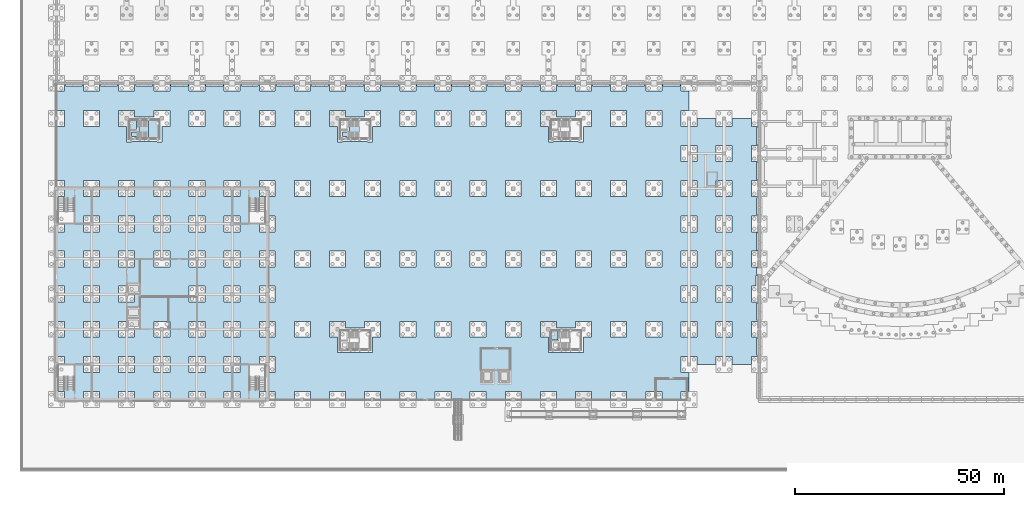
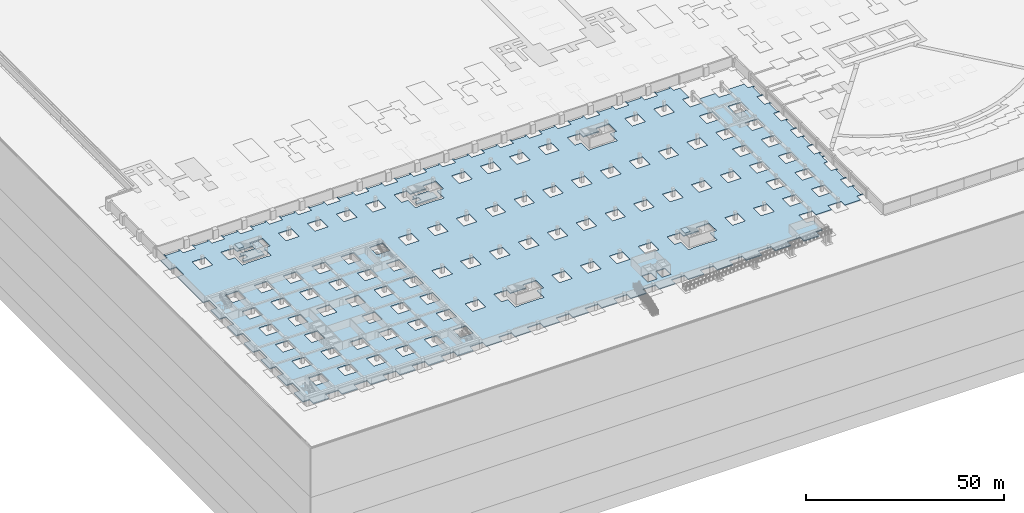
# One storey, part 30 of 67: 6 slabs, 2 elements without a shape of their own.
"""IFC4 building model written with IfcOpenShell, lengths in metres."""

from ifc_helpers import new_model, si_unit, direction, frame, origin, place, context, subcontext, project, spatial, polyline, outline, extrude, material, layer, layer_set, type_object, element, aggregate, save


model = new_model("IFC4")

# Units and contexts
model_context = context("Model", 3, precision=1e-05, world=origin(), true_north=direction((0.0, 1.0)))
body_context = subcontext(model_context, "Body", "Model", "MODEL_VIEW")
ifc_project = project(units=[si_unit("LENGTHUNIT", "METRE"), si_unit("AREAUNIT", "SQUARE_METRE"), si_unit("VOLUMEUNIT", "CUBIC_METRE"), si_unit("PLANEANGLEUNIT", "RADIAN"), si_unit("MASSUNIT", "GRAM", prefix="KILO")], contexts=[model_context])

# Site, building, storey
site_placement = place(None, origin())
site = spatial("IfcSite", under=ifc_project, at=site_placement, CompositionType="ELEMENT")
building_placement = place(site_placement, origin())
building = spatial("IfcBuilding", under=site, at=building_placement, Name="Rain Tree Exposition and Congress Centre", CompositionType="ELEMENT")
storey_placement = place(building_placement, frame((0.0, 0.0, -3.0)))
storey = spatial("IfcBuildingStorey", under=building, at=storey_placement, Name="B1", CompositionType="ELEMENT", Elevation=-3.0)

# Slabs
ifc_material_1 = material(Name="Concrete C40/50", Category="concrete")
ifc_layer_1 = layer(ifc_material_1, 0.300048828125)
ifc_layer_set_1 = layer_set([ifc_layer_1], Name="Concrete C40/50")
slab_type_1 = type_object("IfcSlabType", Name="Base slab 300", PredefinedType="BASESLAB", material=ifc_layer_set_1)
slab_1_placement = place(storey_placement, frame((0.0, 0.0, -0.300048828125)))
element("IfcSlab", 1, at=slab_1_placement, inside=storey, type_object=slab_type_1, Name="Undercroft base slab 1", PredefinedType="BASESLAB", context=body_context, shape_type="SweptSolid", body=[
    extrude(outline(polyline([(0.0, 48.5), (0.0, 43.89990234375), (1.89990234375, 43.89990234375), (1.89990234375, 40.10009765625), (0.0, 40.10009765625), (0.0, 35.5), (1.89990234375, 35.5), (1.89990234375, 31.699951171875), (0.0, 31.699951171875), (0.0, 27.10009765625), (1.89990234375, 27.10009765625), (1.89990234375, 23.300048828125), (0.0, 23.300048828125), (0.0, 18.699951171875), (1.89990234375, 18.699951171875), (1.89990234375, 14.89990234375), (0.0, 14.89990234375), (0.0, 10.300048828125), (1.89990234375, 10.300048828125), (1.89990234375, 6.5), (0.0, 6.5), (0.0, 1.89990234375), (1.89990234375, 1.89990234375), (1.89990234375, 0.0), (6.5, 0.0), (6.5, 1.89990234375), (10.300048828125, 1.89990234375), (10.300048828125, 0.0), (14.89990234375, 0.0), (14.89990234375, 1.89990234375), (18.699951171875, 1.89990234375), (18.699951171875, 0.0), (23.300048828125, 0.0), (23.300048828125, 1.89990234375), (27.10009765625, 1.89990234375), (27.10009765625, 0.0), (31.699951171875, 0.0), (31.699951171875, 1.89990234375), (35.5, 1.89990234375), (35.5, 0.0), (40.10009765625, 0.0), (40.10009765625, 1.89990234375), (43.89990234375, 1.89990234375), (43.89990234375, 0.0), (48.5, 0.0), (48.5, 1.89990234375), (52.300048828125, 1.89990234375), (52.300048828125, 0.0), (56.89990234375, 0.0), (56.89990234375, 1.89990234375), (60.699951171875, 1.89990234375), (60.699951171875, 0.0), (65.300048828125, 0.0), (65.300048828125, 1.89990234375), (69.10009765625, 1.89990234375), (69.10009765625, 0.0), (73.699951171875, 0.0), (73.699951171875, 1.89990234375), (77.5, 1.89990234375), (77.5, 0.0), (82.10009765625, 0.0), (82.10009765625, 1.89990234375), (85.89990234375, 1.89990234375), (85.89990234375, 0.0), (90.5, 0.0), (90.5, 1.89990234375), (94.300048828125, 1.89990234375), (94.300048828125, 0.0), (98.89990234375, 0.0), (98.89990234375, 1.89990234375), (102.699951171875, 1.89990234375), (102.699951171875, 0.0), (107.300048828125, 0.0), (107.300048828125, 1.89990234375), (111.10009765625, 1.89990234375), (111.10009765625, 0.0), (115.699951171875, 0.0), (115.699951171875, 1.89990234375), (119.5, 1.89990234375), (119.5, 0.0), (124.10009765625, 0.0), (124.10009765625, 1.89990234375), (127.89990234375, 1.89990234375), (127.89990234375, 0.0), (132.5, 0.0), (132.5, 1.89990234375), (136.300048828125, 1.89990234375), (136.300048828125, 0.0), (140.89990234375, 0.0), (140.89990234375, 1.89990234375), (144.699951171875, 1.89990234375), (144.699951171875, 0.0), (149.300048828125, 0.0), (149.300048828125, 1.89990234375), (151.199951171875, 1.89990234375), (151.199951171875, 6.5), (149.300048828125, 6.5), (149.300048828125, 10.300048828125), (153.10009765625, 10.300048828125), (153.10009765625, 8.39990234375), (157.699951171875, 8.39990234375), (157.699951171875, 10.300048828125), (161.5, 10.300048828125), (161.5, 8.39990234375), (166.10009765625, 8.39990234375), (166.10009765625, 10.300048828125), (168.0, 10.300048828125), (168.0, 10.60009765625), (167.300048828125, 10.60009765625), (167.300048828125, 14.60009765625), (168.0, 14.60009765625), (168.0, 14.89990234375), (166.10009765625, 14.89990234375), (166.10009765625, 18.699951171875), (168.0, 18.699951171875), (168.0, 19.0), (167.300048828125, 19.0), (167.300048828125, 23.0), (168.0, 23.0), (168.0, 23.300048828125), (166.10009765625, 23.300048828125), (166.10009765625, 27.10009765625), (167.189208984375, 27.10009765625), (167.189208984375, 29.617919921875), (168.0, 29.617919921875), (168.0, 29.917724609375), (167.300048828125, 29.917724609375), (167.300048828125, 31.39990234375), (168.0, 31.39990234375), (168.0, 31.699951171875), (166.10009765625, 31.699951171875), (166.10009765625, 35.5), (168.0, 35.5), (168.0, 35.800048828125), (167.300048828125, 35.800048828125), (167.300048828125, 39.800048828125), (168.0, 39.800048828125), (168.0, 40.10009765625), (166.10009765625, 40.10009765625), (166.10009765625, 43.89990234375), (168.0, 43.89990234375), (168.0, 44.199951171875), (167.300048828125, 44.199951171875), (167.300048828125, 48.199951171875), (168.0, 48.199951171875), (168.0, 48.5), (166.10009765625, 48.5), (166.10009765625, 52.300048828125), (168.0, 52.300048828125), (168.0, 52.60009765625), (167.300048828125, 52.60009765625), (167.300048828125, 56.60009765625), (168.0, 56.60009765625), (168.0, 56.89990234375), (166.10009765625, 56.89990234375), (166.10009765625, 60.699951171875), (168.0, 60.699951171875), (168.0, 61.0), (167.300048828125, 61.0), (167.300048828125, 65.0), (168.0, 65.0), (168.0, 65.300048828125), (166.10009765625, 65.300048828125), (166.10009765625, 67.199951171875), (161.5, 67.199951171875), (161.5, 65.300048828125), (157.699951171875, 65.300048828125), (157.699951171875, 67.199951171875), (153.10009765625, 67.199951171875), (153.10009765625, 65.300048828125), (149.300048828125, 65.300048828125), (149.300048828125, 69.10009765625), (151.199951171875, 69.10009765625), (151.199951171875, 73.699951171875), (149.300048828125, 73.699951171875), (149.300048828125, 75.60009765625), (149.0, 75.60009765625), (149.0, 74.89990234375), (145.0, 74.89990234375), (145.0, 75.60009765625), (144.699951171875, 75.60009765625), (144.699951171875, 73.699951171875), (140.89990234375, 73.699951171875), (140.89990234375, 75.60009765625), (140.60009765625, 75.60009765625), (140.60009765625, 74.89990234375), (136.60009765625, 74.89990234375), (136.60009765625, 75.60009765625), (136.300048828125, 75.60009765625), (136.300048828125, 73.699951171875), (132.5, 73.699951171875), (132.5, 75.60009765625), (132.199951171875, 75.60009765625), (132.199951171875, 74.89990234375), (128.199951171875, 74.89990234375), (128.199951171875, 75.60009765625), (127.89990234375, 75.60009765625), (127.89990234375, 73.699951171875), (124.10009765625, 73.699951171875), (124.10009765625, 75.60009765625), (123.800048828125, 75.60009765625), (123.800048828125, 74.89990234375), (119.800048828125, 74.89990234375), (119.800048828125, 75.60009765625), (119.5, 75.60009765625), (119.5, 73.699951171875), (115.699951171875, 73.699951171875), (115.699951171875, 75.60009765625), (115.39990234375, 75.60009765625), (115.39990234375, 74.89990234375), (111.39990234375, 74.89990234375), (111.39990234375, 75.60009765625), (111.10009765625, 75.60009765625), (111.10009765625, 73.699951171875), (107.300048828125, 73.699951171875), (107.300048828125, 75.60009765625), (107.0, 75.60009765625), (107.0, 74.89990234375), (103.0, 74.89990234375), (103.0, 75.60009765625), (102.699951171875, 75.60009765625), (102.699951171875, 73.699951171875), (98.89990234375, 73.699951171875), (98.89990234375, 75.60009765625), (98.60009765625, 75.60009765625), (98.60009765625, 74.89990234375), (94.60009765625, 74.89990234375), (94.60009765625, 75.60009765625), (94.300048828125, 75.60009765625), (94.300048828125, 73.699951171875), (90.5, 73.699951171875), (90.5, 75.60009765625), (90.199951171875, 75.60009765625), (90.199951171875, 74.89990234375), (86.199951171875, 74.89990234375), (86.199951171875, 75.60009765625), (85.89990234375, 75.60009765625), (85.89990234375, 73.699951171875), (82.10009765625, 73.699951171875), (82.10009765625, 75.60009765625), (81.800048828125, 75.60009765625), (81.800048828125, 74.89990234375), (77.800048828125, 74.89990234375), (77.800048828125, 75.60009765625), (77.5, 75.60009765625), (77.5, 73.699951171875), (73.699951171875, 73.699951171875), (73.699951171875, 75.60009765625), (73.39990234375, 75.60009765625), (73.39990234375, 74.89990234375), (69.39990234375, 74.89990234375), (69.39990234375, 75.60009765625), (69.10009765625, 75.60009765625), (69.10009765625, 73.699951171875), (65.300048828125, 73.699951171875), (65.300048828125, 75.60009765625), (65.0, 75.60009765625), (65.0, 74.89990234375), (61.0, 74.89990234375), (61.0, 75.60009765625), (60.699951171875, 75.60009765625), (60.699951171875, 73.699951171875), (56.89990234375, 73.699951171875), (56.89990234375, 75.60009765625), (56.60009765625, 75.60009765625), (56.60009765625, 74.89990234375), (52.60009765625, 74.89990234375), (52.60009765625, 75.60009765625), (52.300048828125, 75.60009765625), (52.300048828125, 73.699951171875), (48.5, 73.699951171875), (48.5, 75.60009765625), (48.199951171875, 75.60009765625), (48.199951171875, 74.89990234375), (44.199951171875, 74.89990234375), (44.199951171875, 75.60009765625), (43.89990234375, 75.60009765625), (43.89990234375, 73.699951171875), (40.10009765625, 73.699951171875), (40.10009765625, 75.60009765625), (39.800048828125, 75.60009765625), (39.800048828125, 74.89990234375), (35.800048828125, 74.89990234375), (35.800048828125, 75.60009765625), (35.5, 75.60009765625), (35.5, 73.699951171875), (31.699951171875, 73.699951171875), (31.699951171875, 75.60009765625), (31.39990234375, 75.60009765625), (31.39990234375, 74.89990234375), (27.39990234375, 74.89990234375), (27.39990234375, 75.60009765625), (27.10009765625, 75.60009765625), (27.10009765625, 73.699951171875), (23.300048828125, 73.699951171875), (23.300048828125, 75.60009765625), (23.0, 75.60009765625), (23.0, 74.89990234375), (19.0, 74.89990234375), (19.0, 75.60009765625), (18.699951171875, 75.60009765625), (18.699951171875, 73.699951171875), (14.89990234375, 73.699951171875), (14.89990234375, 75.60009765625), (14.60009765625, 75.60009765625), (14.60009765625, 74.89990234375), (10.60009765625, 74.89990234375), (10.60009765625, 75.60009765625), (10.300048828125, 75.60009765625), (10.300048828125, 73.699951171875), (6.5, 73.699951171875), (6.5, 75.60009765625), (6.199951171875, 75.60009765625), (6.199951171875, 74.89990234375), (2.199951171875, 74.89990234375), (2.199951171875, 75.60009765625), (1.89990234375, 75.60009765625), (1.89990234375, 73.699951171875), (0.0, 73.699951171875), (0.0, 69.10009765625), (1.89990234375, 69.10009765625), (1.89990234375, 65.300048828125), (0.0, 65.300048828125), (0.0, 52.300048828125), (1.89990234375, 52.300048828125), (1.89990234375, 48.5), (0.0, 48.5)]), holes=[polyline([(27.10009765625, 10.300048828125), (23.300048828125, 10.300048828125), (23.300048828125, 6.5), (27.10009765625, 6.5), (27.10009765625, 10.300048828125)]), polyline([(18.699951171875, 10.300048828125), (14.89990234375, 10.300048828125), (14.89990234375, 6.5), (18.699951171875, 6.5), (18.699951171875, 10.300048828125)]), polyline([(10.300048828125, 10.300048828125), (6.5, 10.300048828125), (6.5, 6.5), (10.300048828125, 6.5), (10.300048828125, 10.300048828125)]), polyline([(23.300048828125, 18.699951171875), (23.300048828125, 14.89990234375), (27.10009765625, 14.89990234375), (27.10009765625, 18.699951171875), (23.300048828125, 18.699951171875)]), polyline([(18.699951171875, 18.699951171875), (14.89990234375, 18.699951171875), (14.89990234375, 14.89990234375), (18.699951171875, 14.89990234375), (18.699951171875, 18.699951171875)]), polyline([(10.300048828125, 18.699951171875), (6.5, 18.699951171875), (6.5, 14.89990234375), (10.300048828125, 14.89990234375), (10.300048828125, 18.699951171875)]), polyline([(6.5, 27.10009765625), (6.5, 23.300048828125), (10.300048828125, 23.300048828125), (10.300048828125, 27.10009765625), (6.5, 27.10009765625)]), polyline([(18.699951171875, 27.10009765625), (14.89990234375, 27.10009765625), (14.89990234375, 23.300048828125), (18.699951171875, 23.300048828125), (18.699951171875, 27.10009765625)]), polyline([(18.699951171875, 35.5), (14.89990234375, 35.5), (14.89990234375, 31.699951171875), (18.699951171875, 31.699951171875), (18.699951171875, 35.5)]), polyline([(6.5, 35.5), (6.5, 31.699951171875), (10.300048828125, 31.699951171875), (10.300048828125, 35.5), (6.5, 35.5)]), polyline([(10.300048828125, 43.89990234375), (6.5, 43.89990234375), (6.5, 40.10009765625), (10.300048828125, 40.10009765625), (10.300048828125, 43.89990234375)]), polyline([(23.300048828125, 43.89990234375), (23.300048828125, 40.10009765625), (27.10009765625, 40.10009765625), (27.10009765625, 43.89990234375), (23.300048828125, 43.89990234375)]), polyline([(18.699951171875, 43.89990234375), (14.89990234375, 43.89990234375), (14.89990234375, 40.10009765625), (18.699951171875, 40.10009765625), (18.699951171875, 43.89990234375)]), polyline([(23.300048828125, 52.300048828125), (23.300048828125, 48.5), (27.10009765625, 48.5), (27.10009765625, 52.300048828125), (23.300048828125, 52.300048828125)]), polyline([(14.89990234375, 52.300048828125), (14.89990234375, 48.5), (18.699951171875, 48.5), (18.699951171875, 52.300048828125), (14.89990234375, 52.300048828125)]), polyline([(10.300048828125, 52.300048828125), (6.5, 52.300048828125), (6.5, 48.5), (10.300048828125, 48.5), (10.300048828125, 52.300048828125)]), polyline([(21.0, 67.5), (18.699951171875, 67.5), (18.699951171875, 69.10009765625), (14.89990234375, 69.10009765625), (14.89990234375, 65.300048828125), (16.800048828125, 65.300048828125), (16.800048828125, 61.60009765625), (18.0, 61.60009765625), (18.0, 61.699951171875), (21.0, 61.699951171875), (24.0, 61.699951171875), (24.0, 61.60009765625), (25.199951171875, 61.60009765625), (25.199951171875, 62.199951171875), (25.199951171875, 65.300048828125), (27.10009765625, 65.300048828125), (27.10009765625, 69.10009765625), (23.300048828125, 69.10009765625), (23.300048828125, 67.5), (21.0, 67.5)]), polyline([(10.300048828125, 69.10009765625), (6.5, 69.10009765625), (6.5, 65.300048828125), (10.300048828125, 65.300048828125), (10.300048828125, 69.10009765625)]), polyline([(52.300048828125, 10.300048828125), (48.5, 10.300048828125), (48.5, 6.5), (52.300048828125, 6.5), (52.300048828125, 10.300048828125)]), polyline([(40.10009765625, 10.300048828125), (40.10009765625, 6.5), (43.89990234375, 6.5), (43.89990234375, 10.300048828125), (40.10009765625, 10.300048828125)]), polyline([(35.5, 10.300048828125), (31.699951171875, 10.300048828125), (31.699951171875, 6.5), (35.5, 6.5), (35.5, 10.300048828125)]), polyline([(60.699951171875, 18.699951171875), (56.89990234375, 18.699951171875), (56.89990234375, 14.89990234375), (60.699951171875, 14.89990234375), (60.699951171875, 18.699951171875)]), polyline([(40.10009765625, 18.699951171875), (40.10009765625, 14.89990234375), (43.89990234375, 14.89990234375), (43.89990234375, 18.699951171875), (40.10009765625, 18.699951171875)]), polyline([(31.699951171875, 18.699951171875), (31.699951171875, 14.89990234375), (35.5, 14.89990234375), (35.5, 18.699951171875), (31.699951171875, 18.699951171875)]), polyline([(48.5, 18.699951171875), (48.5, 14.89990234375), (52.300048828125, 14.89990234375), (52.300048828125, 18.699951171875), (48.5, 18.699951171875)]), polyline([(35.5, 27.10009765625), (31.699951171875, 27.10009765625), (31.699951171875, 23.300048828125), (35.5, 23.300048828125), (35.5, 27.10009765625)]), polyline([(43.89990234375, 27.10009765625), (40.10009765625, 27.10009765625), (40.10009765625, 23.300048828125), (43.89990234375, 23.300048828125), (43.89990234375, 27.10009765625)]), polyline([(48.5, 27.10009765625), (48.5, 23.300048828125), (52.300048828125, 23.300048828125), (52.300048828125, 27.10009765625), (48.5, 27.10009765625)]), polyline([(35.5, 35.5), (31.699951171875, 35.5), (31.699951171875, 31.699951171875), (35.5, 31.699951171875), (35.5, 35.5)]), polyline([(43.89990234375, 35.5), (40.10009765625, 35.5), (40.10009765625, 31.699951171875), (43.89990234375, 31.699951171875), (43.89990234375, 35.5)]), polyline([(23.300048828125, 35.5), (23.300048828125, 31.699951171875), (27.10009765625, 31.699951171875), (27.10009765625, 35.5), (23.300048828125, 35.5)]), polyline([(52.300048828125, 35.5), (48.5, 35.5), (48.5, 31.699951171875), (52.300048828125, 31.699951171875), (52.300048828125, 35.5)]), polyline([(43.89990234375, 43.89990234375), (40.10009765625, 43.89990234375), (40.10009765625, 40.10009765625), (43.89990234375, 40.10009765625), (43.89990234375, 43.89990234375)]), polyline([(48.5, 43.89990234375), (48.5, 40.10009765625), (52.300048828125, 40.10009765625), (52.300048828125, 43.89990234375), (48.5, 43.89990234375)]), polyline([(31.699951171875, 43.89990234375), (31.699951171875, 40.10009765625), (35.5, 40.10009765625), (35.5, 43.89990234375), (31.699951171875, 43.89990234375)]), polyline([(56.89990234375, 52.300048828125), (56.89990234375, 48.5), (60.699951171875, 48.5), (60.699951171875, 52.300048828125), (56.89990234375, 52.300048828125)]), polyline([(52.300048828125, 52.300048828125), (48.5, 52.300048828125), (48.5, 48.5), (52.300048828125, 48.5), (52.300048828125, 52.300048828125)]), polyline([(43.89990234375, 52.300048828125), (40.10009765625, 52.300048828125), (40.10009765625, 48.5), (43.89990234375, 48.5), (43.89990234375, 52.300048828125)]), polyline([(31.699951171875, 52.300048828125), (31.699951171875, 48.5), (35.5, 48.5), (35.5, 52.300048828125), (31.699951171875, 52.300048828125)]), polyline([(52.300048828125, 69.10009765625), (48.5, 69.10009765625), (48.5, 65.300048828125), (52.300048828125, 65.300048828125), (52.300048828125, 69.10009765625)]), polyline([(43.89990234375, 69.10009765625), (40.10009765625, 69.10009765625), (40.10009765625, 65.300048828125), (43.89990234375, 65.300048828125), (43.89990234375, 69.10009765625)]), polyline([(31.699951171875, 69.10009765625), (31.699951171875, 65.300048828125), (35.5, 65.300048828125), (35.5, 69.10009765625), (31.699951171875, 69.10009765625)]), polyline([(60.699951171875, 69.10009765625), (56.89990234375, 69.10009765625), (56.89990234375, 65.300048828125), (60.699951171875, 65.300048828125), (60.699951171875, 69.10009765625)]), polyline([(104.300048828125, 7.10009765625), (101.60009765625, 7.10009765625), (101.60009765625, 4.0), (104.300048828125, 4.0), (104.300048828125, 7.10009765625)]), polyline([(71.39990234375, 17.10009765625), (69.10009765625, 17.10009765625), (69.10009765625, 18.699951171875), (65.300048828125, 18.699951171875), (65.300048828125, 14.89990234375), (67.199951171875, 14.89990234375), (67.199951171875, 11.199951171875), (68.39990234375, 11.199951171875), (68.39990234375, 11.300048828125), (71.39990234375, 11.300048828125), (74.39990234375, 11.300048828125), (74.39990234375, 11.199951171875), (75.60009765625, 11.199951171875), (75.60009765625, 11.800048828125), (75.60009765625, 14.89990234375), (77.5, 14.89990234375), (77.5, 18.699951171875), (73.699951171875, 18.699951171875), (73.699951171875, 17.10009765625), (71.39990234375, 17.10009765625)]), polyline([(102.699951171875, 18.699951171875), (98.89990234375, 18.699951171875), (98.89990234375, 14.89990234375), (102.699951171875, 14.89990234375), (102.699951171875, 18.699951171875)]), polyline([(94.300048828125, 18.699951171875), (90.5, 18.699951171875), (90.5, 14.89990234375), (94.300048828125, 14.89990234375), (94.300048828125, 18.699951171875)]), polyline([(82.10009765625, 18.699951171875), (82.10009765625, 14.89990234375), (85.89990234375, 14.89990234375), (85.89990234375, 18.699951171875), (82.10009765625, 18.699951171875)]), polyline([(85.89990234375, 35.5), (82.10009765625, 35.5), (82.10009765625, 31.699951171875), (85.89990234375, 31.699951171875), (85.89990234375, 35.5)]), polyline([(102.699951171875, 35.5), (98.89990234375, 35.5), (98.89990234375, 31.699951171875), (102.699951171875, 31.699951171875), (102.699951171875, 35.5)]), polyline([(90.5, 35.5), (90.5, 31.699951171875), (94.300048828125, 31.699951171875), (94.300048828125, 35.5), (90.5, 35.5)]), polyline([(60.699951171875, 35.5), (56.89990234375, 35.5), (56.89990234375, 31.699951171875), (60.699951171875, 31.699951171875), (60.699951171875, 35.5)]), polyline([(77.5, 35.5), (73.699951171875, 35.5), (73.699951171875, 31.699951171875), (77.5, 31.699951171875), (77.5, 35.5)]), polyline([(65.300048828125, 35.5), (65.300048828125, 31.699951171875), (69.10009765625, 31.699951171875), (69.10009765625, 35.5), (65.300048828125, 35.5)]), polyline([(82.10009765625, 52.300048828125), (82.10009765625, 48.5), (85.89990234375, 48.5), (85.89990234375, 52.300048828125), (82.10009765625, 52.300048828125)]), polyline([(73.699951171875, 52.300048828125), (73.699951171875, 48.5), (77.5, 48.5), (77.5, 52.300048828125), (73.699951171875, 52.300048828125)]), polyline([(94.300048828125, 52.300048828125), (90.5, 52.300048828125), (90.5, 48.5), (94.300048828125, 48.5), (94.300048828125, 52.300048828125)]), polyline([(69.10009765625, 52.300048828125), (65.300048828125, 52.300048828125), (65.300048828125, 48.5), (69.10009765625, 48.5), (69.10009765625, 52.300048828125)]), polyline([(98.89990234375, 52.300048828125), (98.89990234375, 48.5), (102.699951171875, 48.5), (102.699951171875, 52.300048828125), (98.89990234375, 52.300048828125)]), polyline([(74.39990234375, 61.60009765625), (75.60009765625, 61.60009765625), (75.60009765625, 62.199951171875), (75.60009765625, 65.300048828125), (77.5, 65.300048828125), (77.5, 69.10009765625), (73.699951171875, 69.10009765625), (73.699951171875, 67.5), (71.39990234375, 67.5), (69.10009765625, 67.5), (69.10009765625, 69.10009765625), (65.300048828125, 69.10009765625), (65.300048828125, 65.300048828125), (67.199951171875, 65.300048828125), (67.199951171875, 61.60009765625), (68.39990234375, 61.60009765625), (68.39990234375, 61.699951171875), (71.39990234375, 61.699951171875), (74.39990234375, 61.699951171875), (74.39990234375, 61.60009765625)]), polyline([(82.10009765625, 69.10009765625), (82.10009765625, 65.300048828125), (85.89990234375, 65.300048828125), (85.89990234375, 69.10009765625), (82.10009765625, 69.10009765625)]), polyline([(94.300048828125, 69.10009765625), (90.5, 69.10009765625), (90.5, 65.300048828125), (94.300048828125, 65.300048828125), (94.300048828125, 69.10009765625)]), polyline([(102.699951171875, 69.10009765625), (98.89990234375, 69.10009765625), (98.89990234375, 65.300048828125), (102.699951171875, 65.300048828125), (102.699951171875, 69.10009765625)]), polyline([(108.39990234375, 7.10009765625), (105.699951171875, 7.10009765625), (105.699951171875, 4.0), (108.39990234375, 4.0), (108.39990234375, 7.10009765625)]), polyline([(126.0, 11.199951171875), (126.0, 11.800048828125), (126.0, 14.89990234375), (127.89990234375, 14.89990234375), (127.89990234375, 18.699951171875), (124.10009765625, 18.699951171875), (124.10009765625, 17.10009765625), (121.800048828125, 17.10009765625), (119.5, 17.10009765625), (119.5, 18.699951171875), (115.699951171875, 18.699951171875), (115.699951171875, 14.89990234375), (117.60009765625, 14.89990234375), (117.60009765625, 11.199951171875), (118.800048828125, 11.199951171875), (118.800048828125, 11.300048828125), (121.800048828125, 11.300048828125), (124.800048828125, 11.300048828125), (124.800048828125, 11.199951171875), (126.0, 11.199951171875)]), polyline([(136.300048828125, 18.699951171875), (132.5, 18.699951171875), (132.5, 14.89990234375), (136.300048828125, 14.89990234375), (136.300048828125, 18.699951171875)]), polyline([(140.89990234375, 18.699951171875), (140.89990234375, 14.89990234375), (144.699951171875, 14.89990234375), (144.699951171875, 18.699951171875), (140.89990234375, 18.699951171875)]), polyline([(111.10009765625, 18.699951171875), (107.300048828125, 18.699951171875), (107.300048828125, 14.89990234375), (111.10009765625, 14.89990234375), (111.10009765625, 18.699951171875)]), polyline([(144.699951171875, 35.5), (140.89990234375, 35.5), (140.89990234375, 31.699951171875), (144.699951171875, 31.699951171875), (144.699951171875, 35.5)]), polyline([(132.5, 35.5), (132.5, 31.699951171875), (136.300048828125, 31.699951171875), (136.300048828125, 35.5), (132.5, 35.5)]), polyline([(119.5, 35.5), (115.699951171875, 35.5), (115.699951171875, 31.699951171875), (119.5, 31.699951171875), (119.5, 35.5)]), polyline([(111.10009765625, 35.5), (107.300048828125, 35.5), (107.300048828125, 31.699951171875), (111.10009765625, 31.699951171875), (111.10009765625, 35.5)]), polyline([(124.10009765625, 35.5), (124.10009765625, 31.699951171875), (127.89990234375, 31.699951171875), (127.89990234375, 35.5), (124.10009765625, 35.5)]), polyline([(127.89990234375, 52.300048828125), (124.10009765625, 52.300048828125), (124.10009765625, 48.5), (127.89990234375, 48.5), (127.89990234375, 52.300048828125)]), polyline([(136.300048828125, 52.300048828125), (132.5, 52.300048828125), (132.5, 48.5), (136.300048828125, 48.5), (136.300048828125, 52.300048828125)]), polyline([(140.89990234375, 52.300048828125), (140.89990234375, 48.5), (144.699951171875, 48.5), (144.699951171875, 52.300048828125), (140.89990234375, 52.300048828125)]), polyline([(111.10009765625, 52.300048828125), (107.300048828125, 52.300048828125), (107.300048828125, 48.5), (111.10009765625, 48.5), (111.10009765625, 52.300048828125)]), polyline([(119.5, 52.300048828125), (115.699951171875, 52.300048828125), (115.699951171875, 48.5), (119.5, 48.5), (119.5, 52.300048828125)]), polyline([(126.0, 61.60009765625), (126.0, 62.199951171875), (126.0, 65.300048828125), (127.89990234375, 65.300048828125), (127.89990234375, 69.10009765625), (124.10009765625, 69.10009765625), (124.10009765625, 67.5), (121.800048828125, 67.5), (119.5, 67.5), (119.5, 69.10009765625), (115.699951171875, 69.10009765625), (115.699951171875, 65.300048828125), (117.60009765625, 65.300048828125), (117.60009765625, 61.60009765625), (118.800048828125, 61.60009765625), (118.800048828125, 61.699951171875), (121.800048828125, 61.699951171875), (124.800048828125, 61.699951171875), (124.800048828125, 61.60009765625), (126.0, 61.60009765625)]), polyline([(111.10009765625, 69.10009765625), (107.300048828125, 69.10009765625), (107.300048828125, 65.300048828125), (111.10009765625, 65.300048828125), (111.10009765625, 69.10009765625)]), polyline([(132.5, 69.10009765625), (132.5, 65.300048828125), (136.300048828125, 65.300048828125), (136.300048828125, 69.10009765625), (132.5, 69.10009765625)]), polyline([(140.89990234375, 69.10009765625), (140.89990234375, 65.300048828125), (144.699951171875, 65.300048828125), (144.699951171875, 69.10009765625), (140.89990234375, 69.10009765625)]), polyline([(153.10009765625, 18.699951171875), (149.300048828125, 18.699951171875), (149.300048828125, 14.89990234375), (153.10009765625, 14.89990234375), (153.10009765625, 18.699951171875)]), polyline([(157.699951171875, 18.699951171875), (157.699951171875, 14.89990234375), (161.5, 14.89990234375), (161.5, 18.699951171875), (157.699951171875, 18.699951171875)]), polyline([(153.10009765625, 27.10009765625), (149.300048828125, 27.10009765625), (149.300048828125, 23.300048828125), (153.10009765625, 23.300048828125), (153.10009765625, 27.10009765625)]), polyline([(157.699951171875, 27.10009765625), (157.699951171875, 23.300048828125), (161.5, 23.300048828125), (161.5, 27.10009765625), (157.699951171875, 27.10009765625)]), polyline([(161.5, 35.5), (157.699951171875, 35.5), (157.699951171875, 31.699951171875), (161.5, 31.699951171875), (161.5, 35.5)]), polyline([(153.10009765625, 35.5), (149.300048828125, 35.5), (149.300048828125, 31.699951171875), (153.10009765625, 31.699951171875), (153.10009765625, 35.5)]), polyline([(161.5, 43.89990234375), (157.699951171875, 43.89990234375), (157.699951171875, 40.10009765625), (161.5, 40.10009765625), (161.5, 43.89990234375)]), polyline([(149.300048828125, 43.89990234375), (149.300048828125, 40.10009765625), (153.10009765625, 40.10009765625), (153.10009765625, 43.89990234375), (149.300048828125, 43.89990234375)]), polyline([(157.699951171875, 52.300048828125), (157.699951171875, 48.5), (161.5, 48.5), (161.5, 52.300048828125), (157.699951171875, 52.300048828125)]), polyline([(153.10009765625, 52.300048828125), (149.300048828125, 52.300048828125), (149.300048828125, 48.5), (153.10009765625, 48.5), (153.10009765625, 52.300048828125)]), polyline([(153.10009765625, 60.699951171875), (149.300048828125, 60.699951171875), (149.300048828125, 56.89990234375), (153.10009765625, 56.89990234375), (153.10009765625, 60.699951171875)]), polyline([(157.699951171875, 60.699951171875), (157.699951171875, 56.89990234375), (161.5, 56.89990234375), (161.5, 60.699951171875), (157.699951171875, 60.699951171875)])]), origin(), (0.0, 0.0, 1.0), 0.300048828125),
])
slab_2_placement = place(storey_placement, frame((0.0, 0.0, -0.300048828125)))
element("IfcSlab", 2, at=slab_2_placement, inside=storey, type_object=slab_type_1, Name="Undercroft base slab 1 part 2", PredefinedType="BASESLAB", context=body_context, shape_type="SweptSolid", body=[
    extrude(outline(polyline([(69.10009765625, 65.300048828125), (68.39990234375, 65.300048828125), (68.39990234375, 65.10009765625), (69.5, 65.10009765625), (70.10009765625, 65.10009765625), (70.10009765625, 63.89990234375), (68.39990234375, 63.89990234375), (68.39990234375, 62.89990234375), (71.39990234375, 62.89990234375), (74.39990234375, 62.89990234375), (74.39990234375, 65.300048828125), (73.699951171875, 65.300048828125), (73.699951171875, 66.300048828125), (71.39990234375, 66.300048828125), (69.10009765625, 66.300048828125), (69.10009765625, 65.300048828125)])), origin(), (0.0, 0.0, 1.0), 0.300048828125),
])
slab_3_placement = place(storey_placement, frame((0.0, 0.0, -0.300048828125)))
element("IfcSlab", 3, at=slab_3_placement, inside=storey, type_object=slab_type_1, Name="Undercroft base slab 1 part 3", PredefinedType="BASESLAB", context=body_context, shape_type="SweptSolid", body=[
    extrude(outline(polyline([(18.0, 65.10009765625), (19.10009765625, 65.10009765625), (19.699951171875, 65.10009765625), (19.699951171875, 63.89990234375), (18.0, 63.89990234375), (18.0, 62.89990234375), (21.0, 62.89990234375), (24.0, 62.89990234375), (24.0, 65.300048828125), (23.300048828125, 65.300048828125), (23.300048828125, 66.300048828125), (21.0, 66.300048828125), (18.699951171875, 66.300048828125), (18.699951171875, 65.300048828125), (18.0, 65.300048828125), (18.0, 65.10009765625)])), origin(), (0.0, 0.0, 1.0), 0.300048828125),
])

# Stair, slab
ifc_material_2 = material(Name="Precast concrete C50/60", Category="concrete")
stair_type = type_object("IfcStairType", Name="Exit stair 1600 wide", PredefinedType="HALF_TURN_STAIR", material=ifc_material_2)
stair_1_placement = place(storey_placement, origin())
stair_1 = element("IfcStair", 4, at=stair_1_placement, inside=storey, type_object=stair_type, Name="Exit stair E2", PredefinedType="HALF_TURN_STAIR")
ifc_material_3 = material(Name="Precast concrete C50/60", Category="concrete")
ifc_layer_2 = layer(ifc_material_3, 0.199951171875)
ifc_layer_set_2 = layer_set([ifc_layer_2], Name="Precast concrete C50/60")
slab_type_2 = type_object("IfcSlabType", Name="Precast landing 200", PredefinedType="LANDING", material=ifc_layer_set_2)
slab_4_placement = place(storey_placement, frame((0.0, 0.0, 2.800048828125)))
slab_4 = element("IfcSlab", 5, at=slab_4_placement, type_object=slab_type_2, Name="XS-E2 landing 2", PredefinedType="LANDING", context=body_context, shape_type="SweptSolid", body=[
    extrude(outline(polyline([(118.300048828125, 14.199951171875), (119.89990234375, 14.199951171875), (119.89990234375, 16.39990234375), (118.300048828125, 16.39990234375), (118.300048828125, 14.199951171875)])), origin(), (0.0, 0.0, 1.0), 0.199951171875),
])
aggregate(stair_1, [slab_4])

# Stair, slabs
stair_2_placement = place(storey_placement, origin())
stair_2 = element("IfcStair", 6, at=stair_2_placement, inside=storey, type_object=stair_type, Name="Exit stair E5", PredefinedType="HALF_TURN_STAIR")
slab_5_placement = place(storey_placement, frame((0.0, 0.0, 1.300048828125)))
slab_5 = element("IfcSlab", 7, at=slab_5_placement, type_object=slab_type_2, Name="XS-E5 landing 1", PredefinedType="LANDING", context=body_context, shape_type="SweptSolid", body=[
    extrude(outline(polyline([(21.9599609375, 62.39990234375), (24.5, 62.39990234375), (24.5, 66.800048828125), (21.9599609375, 66.800048828125), (21.9599609375, 62.39990234375)])), origin(), (0.0, 0.0, 1.0), 0.199951171875),
])
slab_6_placement = place(storey_placement, frame((0.0, 0.0, 2.800048828125)))
slab_6 = element("IfcSlab", 8, at=slab_6_placement, type_object=slab_type_2, Name="XS-E5 landing 2", PredefinedType="LANDING", context=body_context, shape_type="SweptSolid", body=[
    extrude(outline(polyline([(17.5, 64.60009765625), (19.10009765625, 64.60009765625), (19.10009765625, 66.800048828125), (17.5, 66.800048828125), (17.5, 64.60009765625)])), origin(), (0.0, 0.0, 1.0), 0.199951171875),
])
aggregate(stair_2, [slab_5, slab_6])

save(model, "model.ifc")
